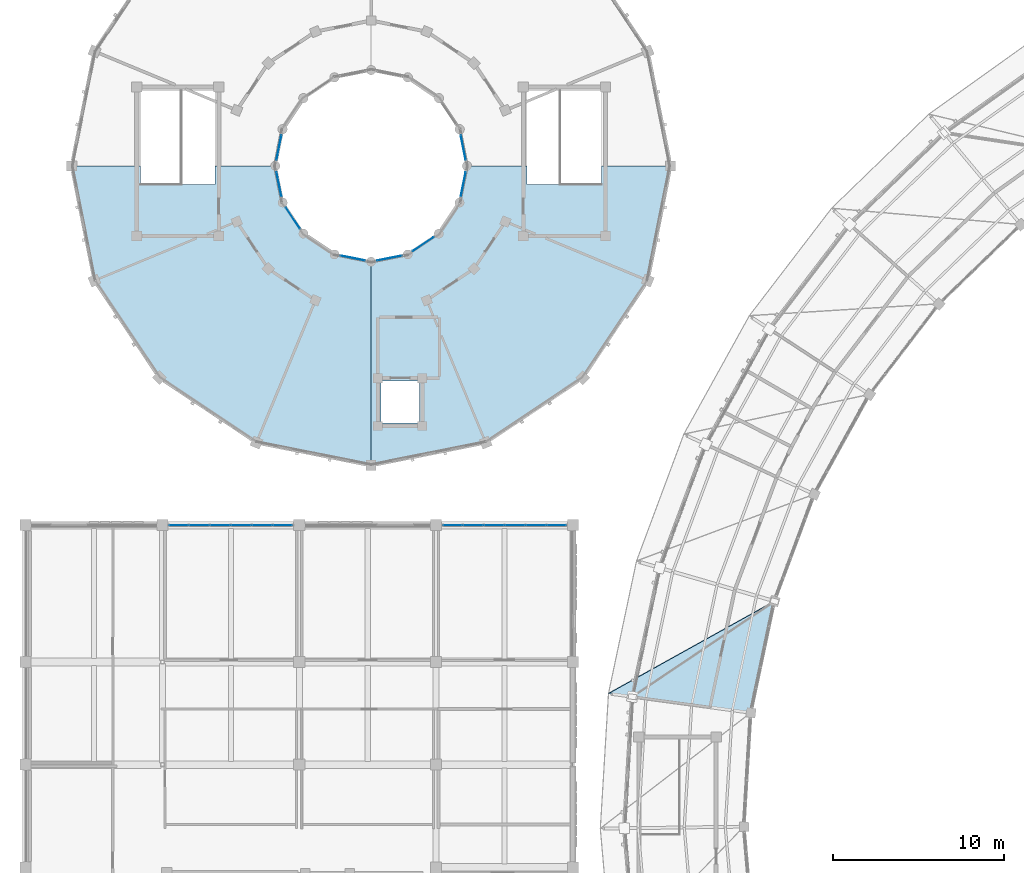
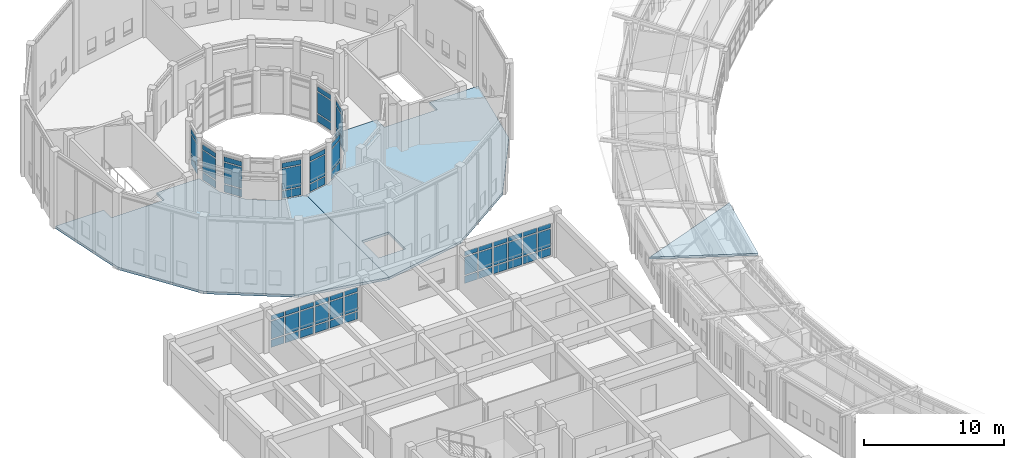
# One storey, part 106 of 149: 60 plates, 3 slabs, 10 elements without a shape of their own.
"""IFC4 building model written with IfcOpenShell, lengths in metres."""

from ifc_helpers import new_model, si_unit, direction, frame, origin, origin_2d, place, context, subcontext, project, spatial, polyline, rectangle, outline, extrude, material, layer, layer_set, type_object, element, aggregate, save


model = new_model("IFC4")

# Units and contexts
model_context = context("Model", 3, precision=1e-05, world=origin(), true_north=direction((0.0, 1.0)))
body_context = subcontext(model_context, "Body", "Model", "MODEL_VIEW")
ifc_project = project(units=[si_unit("LENGTHUNIT", "METRE"), si_unit("AREAUNIT", "SQUARE_METRE"), si_unit("VOLUMEUNIT", "CUBIC_METRE"), si_unit("PLANEANGLEUNIT", "RADIAN"), si_unit("MASSUNIT", "GRAM", prefix="KILO")], contexts=[model_context])

# Site, building, storey
site_placement = place(None, origin())
site = spatial("IfcSite", under=ifc_project, at=site_placement, CompositionType="ELEMENT")
building_placement = place(site_placement, origin())
building = spatial("IfcBuilding", under=site, at=building_placement, Name="Celadon Cloister-Ring School", CompositionType="ELEMENT")
storey_placement = place(building_placement, frame((0.0, 0.0, 12.5)))
storey = spatial("IfcBuildingStorey", under=building, at=storey_placement, Name="L03", CompositionType="ELEMENT", Elevation=12.5)

# Curtain wall, plates
ifc_material_1 = material(Name="Aluminium EN AW-6063 T6", Category="aluminium")
curtain_wall_type_1 = type_object("IfcCurtainWallType", Name="CW-05", PredefinedType="USERDEFINED", material=ifc_material_1)
curtain_wall_1_placement = place(storey_placement, origin())
curtain_wall_1 = element("IfcCurtainWall", 1, at=curtain_wall_1_placement, inside=storey, type_object=curtain_wall_type_1, Name="Curtain Wall 0115", ObjectType="CURTAIN WALL", PredefinedType="USERDEFINED")
ifc_material_2 = material(Name="Tempered laminated insulating glass", Category="glass")
ifc_layer_1 = layer(ifc_material_2, 0.02001953125)
ifc_layer_set_1 = layer_set([ifc_layer_1], Name="Tempered laminated insulating glass")
plate_type = type_object("IfcPlateType", Name="CPN-01", PredefinedType="CURTAIN_PANEL", material=ifc_layer_set_1)
plate_1_placement = place(storey_placement, frame((25.5869140625, 98.071533203125, 0.090087890625), z_axis=(0.0, 0.0, 1.0), x_axis=(-0.194586131301, 0.980885435464, 0.0)))
plate_1 = element("IfcPlate", 2, at=plate_1_placement, type_object=plate_type, Name="CW-05 panel 1.1", PredefinedType="CURTAIN_PANEL", context=body_context, shape_type="SweptSolid", body=[
    extrude(rectangle(XDim=1.4443359375, YDim=0.02001953125, at=origin_2d()), origin(), (0.0, 0.0, 1.0), 0.6650390625),
])
plate_2_placement = place(storey_placement, frame((25.5869140625, 98.071533203125, 0.844970703125), z_axis=(0.0, 0.0, 1.0), x_axis=(-0.194586131301, 0.980885435464, 0.0)))
plate_2 = element("IfcPlate", 3, at=plate_2_placement, type_object=plate_type, Name="CW-05 panel 1.2", PredefinedType="CURTAIN_PANEL", context=body_context, shape_type="SweptSolid", body=[
    extrude(rectangle(XDim=1.4443359375, YDim=0.02001953125, at=origin_2d()), origin(), (0.0, 0.0, 1.0), 1.8349609375),
])
plate_3_placement = place(storey_placement, frame((25.5869140625, 98.071533203125, 2.77001953125), z_axis=(0.0, 0.0, 1.0), x_axis=(-0.194586131301, 0.980885435464, 0.0)))
plate_3 = element("IfcPlate", 4, at=plate_3_placement, type_object=plate_type, Name="CW-05 panel 1.3", PredefinedType="CURTAIN_PANEL", context=body_context, shape_type="SweptSolid", body=[
    extrude(rectangle(XDim=1.4443359375, YDim=0.02001953125, at=origin_2d()), origin(), (0.0, 0.0, 1.0), 0.4150390625),
])
aggregate(curtain_wall_1, [plate_1, plate_2, plate_3])

curtain_wall_2_placement = place(storey_placement, origin())
curtain_wall_2 = element("IfcCurtainWall", 5, at=curtain_wall_2_placement, inside=storey, type_object=curtain_wall_type_1, Name="Curtain Wall 0120", ObjectType="CURTAIN WALL", PredefinedType="USERDEFINED")
plate_4_placement = place(storey_placement, frame((14.81298828125, 98.071533203125, 0.090087890625), z_axis=(0.0, 0.0, 1.0), x_axis=(-0.194586131301, -0.980885435464, 0.0)))
plate_4 = element("IfcPlate", 6, at=plate_4_placement, type_object=plate_type, Name="CW-05 panel 1.1", PredefinedType="CURTAIN_PANEL", context=body_context, shape_type="SweptSolid", body=[
    extrude(rectangle(XDim=1.4443359375, YDim=0.02001953125, at=origin_2d()), origin(), (0.0, 0.0, 1.0), 0.6650390625),
])
plate_5_placement = place(storey_placement, frame((14.81298828125, 98.071533203125, 0.844970703125), z_axis=(0.0, 0.0, 1.0), x_axis=(-0.194586131301, -0.980885435464, 0.0)))
plate_5 = element("IfcPlate", 7, at=plate_5_placement, type_object=plate_type, Name="CW-05 panel 1.2", PredefinedType="CURTAIN_PANEL", context=body_context, shape_type="SweptSolid", body=[
    extrude(rectangle(XDim=1.4443359375, YDim=0.02001953125, at=origin_2d()), origin(), (0.0, 0.0, 1.0), 1.8349609375),
])
plate_6_placement = place(storey_placement, frame((14.81298828125, 98.071533203125, 2.77001953125), z_axis=(0.0, 0.0, 1.0), x_axis=(-0.194586131301, -0.980885435464, 0.0)))
plate_6 = element("IfcPlate", 8, at=plate_6_placement, type_object=plate_type, Name="CW-05 panel 1.3", PredefinedType="CURTAIN_PANEL", context=body_context, shape_type="SweptSolid", body=[
    extrude(rectangle(XDim=1.4443359375, YDim=0.02001953125, at=origin_2d()), origin(), (0.0, 0.0, 1.0), 0.4150390625),
])
aggregate(curtain_wall_2, [plate_4, plate_5, plate_6])

curtain_wall_3_placement = place(storey_placement, origin())
curtain_wall_3 = element("IfcCurtainWall", 9, at=curtain_wall_3_placement, inside=storey, type_object=curtain_wall_type_1, Name="Curtain Wall 0121", ObjectType="CURTAIN WALL", PredefinedType="USERDEFINED")
plate_7_placement = place(storey_placement, frame((14.81298828125, 95.928466796875, 0.090087890625), z_axis=(0.0, 0.0, 1.0), x_axis=(0.194586131301, -0.980885435464, 0.0)))
plate_7 = element("IfcPlate", 10, at=plate_7_placement, type_object=plate_type, Name="CW-05 panel 1.1", PredefinedType="CURTAIN_PANEL", context=body_context, shape_type="SweptSolid", body=[
    extrude(rectangle(XDim=1.4443359375, YDim=0.02001953125, at=origin_2d()), origin(), (0.0, 0.0, 1.0), 0.6650390625),
])
plate_8_placement = place(storey_placement, frame((14.81298828125, 95.928466796875, 0.844970703125), z_axis=(0.0, 0.0, 1.0), x_axis=(0.194586131301, -0.980885435464, 0.0)))
plate_8 = element("IfcPlate", 11, at=plate_8_placement, type_object=plate_type, Name="CW-05 panel 1.2", PredefinedType="CURTAIN_PANEL", context=body_context, shape_type="SweptSolid", body=[
    extrude(rectangle(XDim=1.4443359375, YDim=0.02001953125, at=origin_2d()), origin(), (0.0, 0.0, 1.0), 1.8349609375),
])
plate_9_placement = place(storey_placement, frame((14.81298828125, 95.928466796875, 2.77001953125), z_axis=(0.0, 0.0, 1.0), x_axis=(0.194586131301, -0.980885435464, 0.0)))
plate_9 = element("IfcPlate", 12, at=plate_9_placement, type_object=plate_type, Name="CW-05 panel 1.3", PredefinedType="CURTAIN_PANEL", context=body_context, shape_type="SweptSolid", body=[
    extrude(rectangle(XDim=1.4443359375, YDim=0.02001953125, at=origin_2d()), origin(), (0.0, 0.0, 1.0), 0.4150390625),
])
aggregate(curtain_wall_3, [plate_7, plate_8, plate_9])

curtain_wall_4_placement = place(storey_placement, origin())
curtain_wall_4 = element("IfcCurtainWall", 13, at=curtain_wall_4_placement, inside=storey, type_object=curtain_wall_type_1, Name="Curtain Wall 0122", ObjectType="CURTAIN WALL", PredefinedType="USERDEFINED")
plate_10_placement = place(storey_placement, frame((15.633056640625, 93.948486328125, 0.090087890625), z_axis=(0.0, 0.0, 1.0), x_axis=(0.555547066224, -0.831485091394, 0.0)))
plate_10 = element("IfcPlate", 14, at=plate_10_placement, type_object=plate_type, Name="CW-05 panel 1.1", PredefinedType="CURTAIN_PANEL", context=body_context, shape_type="SweptSolid", body=[
    extrude(rectangle(XDim=1.4443359375, YDim=0.02001953125, at=origin_2d()), origin(), (0.0, 0.0, 1.0), 0.6650390625),
])
plate_11_placement = place(storey_placement, frame((15.633056640625, 93.948486328125, 0.844970703125), z_axis=(0.0, 0.0, 1.0), x_axis=(0.555547066224, -0.831485091394, 0.0)))
plate_11 = element("IfcPlate", 15, at=plate_11_placement, type_object=plate_type, Name="CW-05 panel 1.2", PredefinedType="CURTAIN_PANEL", context=body_context, shape_type="SweptSolid", body=[
    extrude(rectangle(XDim=1.4443359375, YDim=0.02001953125, at=origin_2d()), origin(), (0.0, 0.0, 1.0), 1.8349609375),
])
plate_12_placement = place(storey_placement, frame((15.633056640625, 93.948486328125, 2.77001953125), z_axis=(0.0, 0.0, 1.0), x_axis=(0.555547066224, -0.831485091394, 0.0)))
plate_12 = element("IfcPlate", 16, at=plate_12_placement, type_object=plate_type, Name="CW-05 panel 1.3", PredefinedType="CURTAIN_PANEL", context=body_context, shape_type="SweptSolid", body=[
    extrude(rectangle(XDim=1.4443359375, YDim=0.02001953125, at=origin_2d()), origin(), (0.0, 0.0, 1.0), 0.4150390625),
])
aggregate(curtain_wall_4, [plate_10, plate_11, plate_12])

curtain_wall_5_placement = place(storey_placement, origin())
curtain_wall_5 = element("IfcCurtainWall", 17, at=curtain_wall_5_placement, inside=storey, type_object=curtain_wall_type_1, Name="Curtain Wall 0123", ObjectType="CURTAIN WALL", PredefinedType="USERDEFINED")
plate_13_placement = place(storey_placement, frame((19.12841796875, 91.613037109375, 0.090087890625), z_axis=(0.0, 0.0, 1.0), x_axis=(0.980885435464, -0.194586131301, 0.0)))
plate_13 = element("IfcPlate", 18, at=plate_13_placement, type_object=plate_type, Name="CW-05 panel 1.1", PredefinedType="CURTAIN_PANEL", context=body_context, shape_type="SweptSolid", body=[
    extrude(rectangle(XDim=1.4443359375, YDim=0.02001953125, at=origin_2d()), origin(), (0.0, 0.0, 1.0), 0.6650390625),
])
plate_14_placement = place(storey_placement, frame((19.12841796875, 91.613037109375, 0.844970703125), z_axis=(0.0, 0.0, 1.0), x_axis=(0.980885435464, -0.194586131301, 0.0)))
plate_14 = element("IfcPlate", 19, at=plate_14_placement, type_object=plate_type, Name="CW-05 panel 1.2", PredefinedType="CURTAIN_PANEL", context=body_context, shape_type="SweptSolid", body=[
    extrude(rectangle(XDim=1.4443359375, YDim=0.02001953125, at=origin_2d()), origin(), (0.0, 0.0, 1.0), 1.8349609375),
])
plate_15_placement = place(storey_placement, frame((19.12841796875, 91.613037109375, 2.77001953125), z_axis=(0.0, 0.0, 1.0), x_axis=(0.980885435464, -0.194586131301, 0.0)))
plate_15 = element("IfcPlate", 20, at=plate_15_placement, type_object=plate_type, Name="CW-05 panel 1.3", PredefinedType="CURTAIN_PANEL", context=body_context, shape_type="SweptSolid", body=[
    extrude(rectangle(XDim=1.4443359375, YDim=0.02001953125, at=origin_2d()), origin(), (0.0, 0.0, 1.0), 0.4150390625),
])
aggregate(curtain_wall_5, [plate_13, plate_14, plate_15])

curtain_wall_6_placement = place(storey_placement, origin())
curtain_wall_6 = element("IfcCurtainWall", 21, at=curtain_wall_6_placement, inside=storey, type_object=curtain_wall_type_1, Name="Curtain Wall 0124", ObjectType="CURTAIN WALL", PredefinedType="USERDEFINED")
plate_16_placement = place(storey_placement, frame((21.271484375, 91.613037109375, 0.090087890625), z_axis=(0.0, 0.0, 1.0), x_axis=(0.980885435464, 0.194586131301, 0.0)))
plate_16 = element("IfcPlate", 22, at=plate_16_placement, type_object=plate_type, Name="CW-05 panel 1.1", PredefinedType="CURTAIN_PANEL", context=body_context, shape_type="SweptSolid", body=[
    extrude(rectangle(XDim=1.4443359375, YDim=0.02001953125, at=origin_2d()), origin(), (0.0, 0.0, 1.0), 0.6650390625),
])
plate_17_placement = place(storey_placement, frame((21.271484375, 91.613037109375, 0.844970703125), z_axis=(0.0, 0.0, 1.0), x_axis=(0.980885435464, 0.194586131301, 0.0)))
plate_17 = element("IfcPlate", 23, at=plate_17_placement, type_object=plate_type, Name="CW-05 panel 1.2", PredefinedType="CURTAIN_PANEL", context=body_context, shape_type="SweptSolid", body=[
    extrude(rectangle(XDim=1.4443359375, YDim=0.02001953125, at=origin_2d()), origin(), (0.0, 0.0, 1.0), 1.8349609375),
])
plate_18_placement = place(storey_placement, frame((21.271484375, 91.613037109375, 2.77001953125), z_axis=(0.0, 0.0, 1.0), x_axis=(0.980885435464, 0.194586131301, 0.0)))
plate_18 = element("IfcPlate", 24, at=plate_18_placement, type_object=plate_type, Name="CW-05 panel 1.3", PredefinedType="CURTAIN_PANEL", context=body_context, shape_type="SweptSolid", body=[
    extrude(rectangle(XDim=1.4443359375, YDim=0.02001953125, at=origin_2d()), origin(), (0.0, 0.0, 1.0), 0.4150390625),
])
aggregate(curtain_wall_6, [plate_16, plate_17, plate_18])

curtain_wall_7_placement = place(storey_placement, origin())
curtain_wall_7 = element("IfcCurtainWall", 25, at=curtain_wall_7_placement, inside=storey, type_object=curtain_wall_type_1, Name="Curtain Wall 0125", ObjectType="CURTAIN WALL", PredefinedType="USERDEFINED")
plate_19_placement = place(storey_placement, frame((23.25146484375, 92.43310546875, 0.090087890625), z_axis=(0.0, 0.0, 1.0), x_axis=(0.831485091394, 0.555547066224, 0.0)))
plate_19 = element("IfcPlate", 26, at=plate_19_placement, type_object=plate_type, Name="CW-05 panel 1.1", PredefinedType="CURTAIN_PANEL", context=body_context, shape_type="SweptSolid", body=[
    extrude(rectangle(XDim=1.4443359375, YDim=0.02001953125, at=origin_2d()), origin(), (0.0, 0.0, 1.0), 0.6650390625),
])
plate_20_placement = place(storey_placement, frame((23.25146484375, 92.43310546875, 0.844970703125), z_axis=(0.0, 0.0, 1.0), x_axis=(0.831485091394, 0.555547066224, 0.0)))
plate_20 = element("IfcPlate", 27, at=plate_20_placement, type_object=plate_type, Name="CW-05 panel 1.2", PredefinedType="CURTAIN_PANEL", context=body_context, shape_type="SweptSolid", body=[
    extrude(rectangle(XDim=1.4443359375, YDim=0.02001953125, at=origin_2d()), origin(), (0.0, 0.0, 1.0), 1.8349609375),
])
plate_21_placement = place(storey_placement, frame((23.25146484375, 92.43310546875, 2.77001953125), z_axis=(0.0, 0.0, 1.0), x_axis=(0.831485091394, 0.555547066224, 0.0)))
plate_21 = element("IfcPlate", 28, at=plate_21_placement, type_object=plate_type, Name="CW-05 panel 1.3", PredefinedType="CURTAIN_PANEL", context=body_context, shape_type="SweptSolid", body=[
    extrude(rectangle(XDim=1.4443359375, YDim=0.02001953125, at=origin_2d()), origin(), (0.0, 0.0, 1.0), 0.4150390625),
])
aggregate(curtain_wall_7, [plate_19, plate_20, plate_21])

curtain_wall_8_placement = place(storey_placement, origin())
curtain_wall_8 = element("IfcCurtainWall", 29, at=curtain_wall_8_placement, inside=storey, type_object=curtain_wall_type_1, Name="Curtain Wall 0126", ObjectType="CURTAIN WALL", PredefinedType="USERDEFINED")
plate_22_placement = place(storey_placement, frame((25.5869140625, 95.928466796875, 0.090087890625), z_axis=(0.0, 0.0, 1.0), x_axis=(0.194586131301, 0.980885435464, 0.0)))
plate_22 = element("IfcPlate", 30, at=plate_22_placement, type_object=plate_type, Name="CW-05 panel 1.1", PredefinedType="CURTAIN_PANEL", context=body_context, shape_type="SweptSolid", body=[
    extrude(rectangle(XDim=1.4443359375, YDim=0.02001953125, at=origin_2d()), origin(), (0.0, 0.0, 1.0), 0.6650390625),
])
plate_23_placement = place(storey_placement, frame((25.5869140625, 95.928466796875, 0.844970703125), z_axis=(0.0, 0.0, 1.0), x_axis=(0.194586131301, 0.980885435464, 0.0)))
plate_23 = element("IfcPlate", 31, at=plate_23_placement, type_object=plate_type, Name="CW-05 panel 1.2", PredefinedType="CURTAIN_PANEL", context=body_context, shape_type="SweptSolid", body=[
    extrude(rectangle(XDim=1.4443359375, YDim=0.02001953125, at=origin_2d()), origin(), (0.0, 0.0, 1.0), 1.8349609375),
])
plate_24_placement = place(storey_placement, frame((25.5869140625, 95.928466796875, 2.77001953125), z_axis=(0.0, 0.0, 1.0), x_axis=(0.194586131301, 0.980885435464, 0.0)))
plate_24 = element("IfcPlate", 32, at=plate_24_placement, type_object=plate_type, Name="CW-05 panel 1.3", PredefinedType="CURTAIN_PANEL", context=body_context, shape_type="SweptSolid", body=[
    extrude(rectangle(XDim=1.4443359375, YDim=0.02001953125, at=origin_2d()), origin(), (0.0, 0.0, 1.0), 0.4150390625),
])
aggregate(curtain_wall_8, [plate_22, plate_23, plate_24])

ifc_material_3 = material(Name="Aluminium EN AW-6063 T6", Category="aluminium")
curtain_wall_type_2 = type_object("IfcCurtainWallType", Name="CW-15", PredefinedType="USERDEFINED", material=ifc_material_3)
curtain_wall_9_placement = place(storey_placement, origin())
curtain_wall_9 = element("IfcCurtainWall", 33, at=curtain_wall_9_placement, inside=storey, type_object=curtain_wall_type_2, Name="Curtain Wall 0203", ObjectType="CURTAIN WALL", PredefinedType="USERDEFINED")
plate_25_placement = place(storey_placement, frame((8.965087890625, 76.0, 0.10498046875), z_axis=(0.0, 0.0, 1.0), x_axis=(1.0, 0.0, 0.0)))
plate_25 = element("IfcPlate", 34, at=plate_25_placement, type_object=plate_type, Name="CW-15 panel 1.1", PredefinedType="CURTAIN_PANEL", context=body_context, shape_type="SweptSolid", body=[
    extrude(rectangle(XDim=1.06005859375, YDim=0.02001953125, at=origin_2d()), origin(), (0.0, 0.0, 1.0), 0.642578125),
])
plate_26_placement = place(storey_placement, frame((8.965087890625, 76.0, 0.8525390625), z_axis=(0.0, 0.0, 1.0), x_axis=(1.0, 0.0, 0.0)))
plate_26 = element("IfcPlate", 35, at=plate_26_placement, type_object=plate_type, Name="CW-15 panel 1.2", PredefinedType="CURTAIN_PANEL", context=body_context, shape_type="SweptSolid", body=[
    extrude(rectangle(XDim=1.06005859375, YDim=0.02001953125, at=origin_2d()), origin(), (0.0, 0.0, 1.0), 1.547119140625),
])
plate_27_placement = place(storey_placement, frame((8.965087890625, 76.0, 2.50439453125), z_axis=(0.0, 0.0, 1.0), x_axis=(1.0, 0.0, 0.0)))
plate_27 = element("IfcPlate", 36, at=plate_27_placement, type_object=plate_type, Name="CW-15 panel 1.3", PredefinedType="CURTAIN_PANEL", context=body_context, shape_type="SweptSolid", body=[
    extrude(rectangle(XDim=1.06005859375, YDim=0.02001953125, at=origin_2d()), origin(), (0.0, 0.0, 1.0), 0.392578125),
])
plate_28_placement = place(storey_placement, frame((10.16259765625, 76.0, 0.10498046875), z_axis=(0.0, 0.0, 1.0), x_axis=(1.0, 0.0, 0.0)))
plate_28 = element("IfcPlate", 37, at=plate_28_placement, type_object=plate_type, Name="CW-15 panel 2.1", PredefinedType="CURTAIN_PANEL", context=body_context, shape_type="SweptSolid", body=[
    extrude(rectangle(XDim=1.114990234375, YDim=0.02001953125, at=origin_2d()), origin(), (0.0, 0.0, 1.0), 0.642578125),
])
plate_29_placement = place(storey_placement, frame((10.16259765625, 76.0, 0.8525390625), z_axis=(0.0, 0.0, 1.0), x_axis=(1.0, 0.0, 0.0)))
plate_29 = element("IfcPlate", 38, at=plate_29_placement, type_object=plate_type, Name="CW-15 panel 2.2", PredefinedType="CURTAIN_PANEL", context=body_context, shape_type="SweptSolid", body=[
    extrude(rectangle(XDim=1.114990234375, YDim=0.02001953125, at=origin_2d()), origin(), (0.0, 0.0, 1.0), 1.547119140625),
])
plate_30_placement = place(storey_placement, frame((10.16259765625, 76.0, 2.50439453125), z_axis=(0.0, 0.0, 1.0), x_axis=(1.0, 0.0, 0.0)))
plate_30 = element("IfcPlate", 39, at=plate_30_placement, type_object=plate_type, Name="CW-15 panel 2.3", PredefinedType="CURTAIN_PANEL", context=body_context, shape_type="SweptSolid", body=[
    extrude(rectangle(XDim=1.114990234375, YDim=0.02001953125, at=origin_2d()), origin(), (0.0, 0.0, 1.0), 0.392578125),
])
plate_31_placement = place(storey_placement, frame((11.387451171875, 76.0, 0.10498046875), z_axis=(0.0, 0.0, 1.0), x_axis=(1.0, 0.0, 0.0)))
plate_31 = element("IfcPlate", 40, at=plate_31_placement, type_object=plate_type, Name="CW-15 panel 3.1", PredefinedType="CURTAIN_PANEL", context=body_context, shape_type="SweptSolid", body=[
    extrude(rectangle(XDim=1.114990234375, YDim=0.02001953125, at=origin_2d()), origin(), (0.0, 0.0, 1.0), 0.642578125),
])
plate_32_placement = place(storey_placement, frame((11.387451171875, 76.0, 0.8525390625), z_axis=(0.0, 0.0, 1.0), x_axis=(1.0, 0.0, 0.0)))
plate_32 = element("IfcPlate", 41, at=plate_32_placement, type_object=plate_type, Name="CW-15 panel 3.2", PredefinedType="CURTAIN_PANEL", context=body_context, shape_type="SweptSolid", body=[
    extrude(rectangle(XDim=1.114990234375, YDim=0.02001953125, at=origin_2d()), origin(), (0.0, 0.0, 1.0), 1.547119140625),
])
plate_33_placement = place(storey_placement, frame((11.387451171875, 76.0, 2.50439453125), z_axis=(0.0, 0.0, 1.0), x_axis=(1.0, 0.0, 0.0)))
plate_33 = element("IfcPlate", 42, at=plate_33_placement, type_object=plate_type, Name="CW-15 panel 3.3", PredefinedType="CURTAIN_PANEL", context=body_context, shape_type="SweptSolid", body=[
    extrude(rectangle(XDim=1.114990234375, YDim=0.02001953125, at=origin_2d()), origin(), (0.0, 0.0, 1.0), 0.392578125),
])
plate_34_placement = place(storey_placement, frame((12.612548828125, 76.0, 0.10498046875), z_axis=(0.0, 0.0, 1.0), x_axis=(1.0, 0.0, 0.0)))
plate_34 = element("IfcPlate", 43, at=plate_34_placement, type_object=plate_type, Name="CW-15 panel 4.1", PredefinedType="CURTAIN_PANEL", context=body_context, shape_type="SweptSolid", body=[
    extrude(rectangle(XDim=1.114990234375, YDim=0.02001953125, at=origin_2d()), origin(), (0.0, 0.0, 1.0), 0.642578125),
])
plate_35_placement = place(storey_placement, frame((12.612548828125, 76.0, 0.8525390625), z_axis=(0.0, 0.0, 1.0), x_axis=(1.0, 0.0, 0.0)))
plate_35 = element("IfcPlate", 44, at=plate_35_placement, type_object=plate_type, Name="CW-15 panel 4.2", PredefinedType="CURTAIN_PANEL", context=body_context, shape_type="SweptSolid", body=[
    extrude(rectangle(XDim=1.114990234375, YDim=0.02001953125, at=origin_2d()), origin(), (0.0, 0.0, 1.0), 1.547119140625),
])
plate_36_placement = place(storey_placement, frame((12.612548828125, 76.0, 2.50439453125), z_axis=(0.0, 0.0, 1.0), x_axis=(1.0, 0.0, 0.0)))
plate_36 = element("IfcPlate", 45, at=plate_36_placement, type_object=plate_type, Name="CW-15 panel 4.3", PredefinedType="CURTAIN_PANEL", context=body_context, shape_type="SweptSolid", body=[
    extrude(rectangle(XDim=1.114990234375, YDim=0.02001953125, at=origin_2d()), origin(), (0.0, 0.0, 1.0), 0.392578125),
])
plate_37_placement = place(storey_placement, frame((13.83740234375, 76.0, 0.10498046875), z_axis=(0.0, 0.0, 1.0), x_axis=(1.0, 0.0, 0.0)))
plate_37 = element("IfcPlate", 46, at=plate_37_placement, type_object=plate_type, Name="CW-15 panel 5.1", PredefinedType="CURTAIN_PANEL", context=body_context, shape_type="SweptSolid", body=[
    extrude(rectangle(XDim=1.114990234375, YDim=0.02001953125, at=origin_2d()), origin(), (0.0, 0.0, 1.0), 0.642578125),
])
plate_38_placement = place(storey_placement, frame((13.83740234375, 76.0, 0.8525390625), z_axis=(0.0, 0.0, 1.0), x_axis=(1.0, 0.0, 0.0)))
plate_38 = element("IfcPlate", 47, at=plate_38_placement, type_object=plate_type, Name="CW-15 panel 5.2", PredefinedType="CURTAIN_PANEL", context=body_context, shape_type="SweptSolid", body=[
    extrude(rectangle(XDim=1.114990234375, YDim=0.02001953125, at=origin_2d()), origin(), (0.0, 0.0, 1.0), 1.547119140625),
])
plate_39_placement = place(storey_placement, frame((13.83740234375, 76.0, 2.50439453125), z_axis=(0.0, 0.0, 1.0), x_axis=(1.0, 0.0, 0.0)))
plate_39 = element("IfcPlate", 48, at=plate_39_placement, type_object=plate_type, Name="CW-15 panel 5.3", PredefinedType="CURTAIN_PANEL", context=body_context, shape_type="SweptSolid", body=[
    extrude(rectangle(XDim=1.114990234375, YDim=0.02001953125, at=origin_2d()), origin(), (0.0, 0.0, 1.0), 0.392578125),
])
plate_40_placement = place(storey_placement, frame((15.034912109375, 76.0, 0.10498046875), z_axis=(0.0, 0.0, 1.0), x_axis=(1.0, 0.0, 0.0)))
plate_40 = element("IfcPlate", 49, at=plate_40_placement, type_object=plate_type, Name="CW-15 panel 6.1", PredefinedType="CURTAIN_PANEL", context=body_context, shape_type="SweptSolid", body=[
    extrude(rectangle(XDim=1.06005859375, YDim=0.02001953125, at=origin_2d()), origin(), (0.0, 0.0, 1.0), 0.642578125),
])
plate_41_placement = place(storey_placement, frame((15.034912109375, 76.0, 0.8525390625), z_axis=(0.0, 0.0, 1.0), x_axis=(1.0, 0.0, 0.0)))
plate_41 = element("IfcPlate", 50, at=plate_41_placement, type_object=plate_type, Name="CW-15 panel 6.2", PredefinedType="CURTAIN_PANEL", context=body_context, shape_type="SweptSolid", body=[
    extrude(rectangle(XDim=1.06005859375, YDim=0.02001953125, at=origin_2d()), origin(), (0.0, 0.0, 1.0), 1.547119140625),
])
plate_42_placement = place(storey_placement, frame((15.034912109375, 76.0, 2.50439453125), z_axis=(0.0, 0.0, 1.0), x_axis=(1.0, 0.0, 0.0)))
plate_42 = element("IfcPlate", 51, at=plate_42_placement, type_object=plate_type, Name="CW-15 panel 6.3", PredefinedType="CURTAIN_PANEL", context=body_context, shape_type="SweptSolid", body=[
    extrude(rectangle(XDim=1.06005859375, YDim=0.02001953125, at=origin_2d()), origin(), (0.0, 0.0, 1.0), 0.392578125),
])
aggregate(curtain_wall_9, [plate_25, plate_26, plate_27, plate_28, plate_29, plate_30, plate_31, plate_32, plate_33, plate_34, plate_35, plate_36, plate_37, plate_38, plate_39, plate_40, plate_41, plate_42])

curtain_wall_10_placement = place(storey_placement, origin())
curtain_wall_10 = element("IfcCurtainWall", 52, at=curtain_wall_10_placement, inside=storey, type_object=curtain_wall_type_2, Name="Curtain Wall 0204", ObjectType="CURTAIN WALL", PredefinedType="USERDEFINED")
plate_43_placement = place(storey_placement, frame((24.965087890625, 76.0, 0.10498046875), z_axis=(0.0, 0.0, 1.0), x_axis=(1.0, 0.0, 0.0)))
plate_43 = element("IfcPlate", 53, at=plate_43_placement, type_object=plate_type, Name="CW-15 panel 1.1", PredefinedType="CURTAIN_PANEL", context=body_context, shape_type="SweptSolid", body=[
    extrude(rectangle(XDim=1.06005859375, YDim=0.02001953125, at=origin_2d()), origin(), (0.0, 0.0, 1.0), 0.642578125),
])
plate_44_placement = place(storey_placement, frame((24.965087890625, 76.0, 0.8525390625), z_axis=(0.0, 0.0, 1.0), x_axis=(1.0, 0.0, 0.0)))
plate_44 = element("IfcPlate", 54, at=plate_44_placement, type_object=plate_type, Name="CW-15 panel 1.2", PredefinedType="CURTAIN_PANEL", context=body_context, shape_type="SweptSolid", body=[
    extrude(rectangle(XDim=1.06005859375, YDim=0.02001953125, at=origin_2d()), origin(), (0.0, 0.0, 1.0), 1.547119140625),
])
plate_45_placement = place(storey_placement, frame((24.965087890625, 76.0, 2.50439453125), z_axis=(0.0, 0.0, 1.0), x_axis=(1.0, 0.0, 0.0)))
plate_45 = element("IfcPlate", 55, at=plate_45_placement, type_object=plate_type, Name="CW-15 panel 1.3", PredefinedType="CURTAIN_PANEL", context=body_context, shape_type="SweptSolid", body=[
    extrude(rectangle(XDim=1.06005859375, YDim=0.02001953125, at=origin_2d()), origin(), (0.0, 0.0, 1.0), 0.392578125),
])
plate_46_placement = place(storey_placement, frame((26.16259765625, 76.0, 0.10498046875), z_axis=(0.0, 0.0, 1.0), x_axis=(1.0, 0.0, 0.0)))
plate_46 = element("IfcPlate", 56, at=plate_46_placement, type_object=plate_type, Name="CW-15 panel 2.1", PredefinedType="CURTAIN_PANEL", context=body_context, shape_type="SweptSolid", body=[
    extrude(rectangle(XDim=1.114990234375, YDim=0.02001953125, at=origin_2d()), origin(), (0.0, 0.0, 1.0), 0.642578125),
])
plate_47_placement = place(storey_placement, frame((26.16259765625, 76.0, 0.8525390625), z_axis=(0.0, 0.0, 1.0), x_axis=(1.0, 0.0, 0.0)))
plate_47 = element("IfcPlate", 57, at=plate_47_placement, type_object=plate_type, Name="CW-15 panel 2.2", PredefinedType="CURTAIN_PANEL", context=body_context, shape_type="SweptSolid", body=[
    extrude(rectangle(XDim=1.114990234375, YDim=0.02001953125, at=origin_2d()), origin(), (0.0, 0.0, 1.0), 1.547119140625),
])
plate_48_placement = place(storey_placement, frame((26.16259765625, 76.0, 2.50439453125), z_axis=(0.0, 0.0, 1.0), x_axis=(1.0, 0.0, 0.0)))
plate_48 = element("IfcPlate", 58, at=plate_48_placement, type_object=plate_type, Name="CW-15 panel 2.3", PredefinedType="CURTAIN_PANEL", context=body_context, shape_type="SweptSolid", body=[
    extrude(rectangle(XDim=1.114990234375, YDim=0.02001953125, at=origin_2d()), origin(), (0.0, 0.0, 1.0), 0.392578125),
])
plate_49_placement = place(storey_placement, frame((27.387451171875, 76.0, 0.10498046875), z_axis=(0.0, 0.0, 1.0), x_axis=(1.0, 0.0, 0.0)))
plate_49 = element("IfcPlate", 59, at=plate_49_placement, type_object=plate_type, Name="CW-15 panel 3.1", PredefinedType="CURTAIN_PANEL", context=body_context, shape_type="SweptSolid", body=[
    extrude(rectangle(XDim=1.114990234375, YDim=0.02001953125, at=origin_2d()), origin(), (0.0, 0.0, 1.0), 0.642578125),
])
plate_50_placement = place(storey_placement, frame((27.387451171875, 76.0, 0.8525390625), z_axis=(0.0, 0.0, 1.0), x_axis=(1.0, 0.0, 0.0)))
plate_50 = element("IfcPlate", 60, at=plate_50_placement, type_object=plate_type, Name="CW-15 panel 3.2", PredefinedType="CURTAIN_PANEL", context=body_context, shape_type="SweptSolid", body=[
    extrude(rectangle(XDim=1.114990234375, YDim=0.02001953125, at=origin_2d()), origin(), (0.0, 0.0, 1.0), 1.547119140625),
])
plate_51_placement = place(storey_placement, frame((27.387451171875, 76.0, 2.50439453125), z_axis=(0.0, 0.0, 1.0), x_axis=(1.0, 0.0, 0.0)))
plate_51 = element("IfcPlate", 61, at=plate_51_placement, type_object=plate_type, Name="CW-15 panel 3.3", PredefinedType="CURTAIN_PANEL", context=body_context, shape_type="SweptSolid", body=[
    extrude(rectangle(XDim=1.114990234375, YDim=0.02001953125, at=origin_2d()), origin(), (0.0, 0.0, 1.0), 0.392578125),
])
plate_52_placement = place(storey_placement, frame((28.612548828125, 76.0, 0.10498046875), z_axis=(0.0, 0.0, 1.0), x_axis=(1.0, 0.0, 0.0)))
plate_52 = element("IfcPlate", 62, at=plate_52_placement, type_object=plate_type, Name="CW-15 panel 4.1", PredefinedType="CURTAIN_PANEL", context=body_context, shape_type="SweptSolid", body=[
    extrude(rectangle(XDim=1.114990234375, YDim=0.02001953125, at=origin_2d()), origin(), (0.0, 0.0, 1.0), 0.642578125),
])
plate_53_placement = place(storey_placement, frame((28.612548828125, 76.0, 0.8525390625), z_axis=(0.0, 0.0, 1.0), x_axis=(1.0, 0.0, 0.0)))
plate_53 = element("IfcPlate", 63, at=plate_53_placement, type_object=plate_type, Name="CW-15 panel 4.2", PredefinedType="CURTAIN_PANEL", context=body_context, shape_type="SweptSolid", body=[
    extrude(rectangle(XDim=1.114990234375, YDim=0.02001953125, at=origin_2d()), origin(), (0.0, 0.0, 1.0), 1.547119140625),
])
plate_54_placement = place(storey_placement, frame((28.612548828125, 76.0, 2.50439453125), z_axis=(0.0, 0.0, 1.0), x_axis=(1.0, 0.0, 0.0)))
plate_54 = element("IfcPlate", 64, at=plate_54_placement, type_object=plate_type, Name="CW-15 panel 4.3", PredefinedType="CURTAIN_PANEL", context=body_context, shape_type="SweptSolid", body=[
    extrude(rectangle(XDim=1.114990234375, YDim=0.02001953125, at=origin_2d()), origin(), (0.0, 0.0, 1.0), 0.392578125),
])
plate_55_placement = place(storey_placement, frame((29.83740234375, 76.0, 0.10498046875), z_axis=(0.0, 0.0, 1.0), x_axis=(1.0, 0.0, 0.0)))
plate_55 = element("IfcPlate", 65, at=plate_55_placement, type_object=plate_type, Name="CW-15 panel 5.1", PredefinedType="CURTAIN_PANEL", context=body_context, shape_type="SweptSolid", body=[
    extrude(rectangle(XDim=1.114990234375, YDim=0.02001953125, at=origin_2d()), origin(), (0.0, 0.0, 1.0), 0.642578125),
])
plate_56_placement = place(storey_placement, frame((29.83740234375, 76.0, 0.8525390625), z_axis=(0.0, 0.0, 1.0), x_axis=(1.0, 0.0, 0.0)))
plate_56 = element("IfcPlate", 66, at=plate_56_placement, type_object=plate_type, Name="CW-15 panel 5.2", PredefinedType="CURTAIN_PANEL", context=body_context, shape_type="SweptSolid", body=[
    extrude(rectangle(XDim=1.114990234375, YDim=0.02001953125, at=origin_2d()), origin(), (0.0, 0.0, 1.0), 1.547119140625),
])
plate_57_placement = place(storey_placement, frame((29.83740234375, 76.0, 2.50439453125), z_axis=(0.0, 0.0, 1.0), x_axis=(1.0, 0.0, 0.0)))
plate_57 = element("IfcPlate", 67, at=plate_57_placement, type_object=plate_type, Name="CW-15 panel 5.3", PredefinedType="CURTAIN_PANEL", context=body_context, shape_type="SweptSolid", body=[
    extrude(rectangle(XDim=1.114990234375, YDim=0.02001953125, at=origin_2d()), origin(), (0.0, 0.0, 1.0), 0.392578125),
])
plate_58_placement = place(storey_placement, frame((31.034912109375, 76.0, 0.10498046875), z_axis=(0.0, 0.0, 1.0), x_axis=(1.0, 0.0, 0.0)))
plate_58 = element("IfcPlate", 68, at=plate_58_placement, type_object=plate_type, Name="CW-15 panel 6.1", PredefinedType="CURTAIN_PANEL", context=body_context, shape_type="SweptSolid", body=[
    extrude(rectangle(XDim=1.06005859375, YDim=0.02001953125, at=origin_2d()), origin(), (0.0, 0.0, 1.0), 0.642578125),
])
plate_59_placement = place(storey_placement, frame((31.034912109375, 76.0, 0.8525390625), z_axis=(0.0, 0.0, 1.0), x_axis=(1.0, 0.0, 0.0)))
plate_59 = element("IfcPlate", 69, at=plate_59_placement, type_object=plate_type, Name="CW-15 panel 6.2", PredefinedType="CURTAIN_PANEL", context=body_context, shape_type="SweptSolid", body=[
    extrude(rectangle(XDim=1.06005859375, YDim=0.02001953125, at=origin_2d()), origin(), (0.0, 0.0, 1.0), 1.547119140625),
])
plate_60_placement = place(storey_placement, frame((31.034912109375, 76.0, 2.50439453125), z_axis=(0.0, 0.0, 1.0), x_axis=(1.0, 0.0, 0.0)))
plate_60 = element("IfcPlate", 70, at=plate_60_placement, type_object=plate_type, Name="CW-15 panel 6.3", PredefinedType="CURTAIN_PANEL", context=body_context, shape_type="SweptSolid", body=[
    extrude(rectangle(XDim=1.06005859375, YDim=0.02001953125, at=origin_2d()), origin(), (0.0, 0.0, 1.0), 0.392578125),
])
aggregate(curtain_wall_10, [plate_43, plate_44, plate_45, plate_46, plate_47, plate_48, plate_49, plate_50, plate_51, plate_52, plate_53, plate_54, plate_55, plate_56, plate_57, plate_58, plate_59, plate_60])

# Slabs
ifc_material_4 = material(Name="Concrete C35/45", Category="concrete")
ifc_layer_2 = layer(ifc_material_4, 0.219970703125)
ifc_layer_set_2 = layer_set([ifc_layer_2], Name="Concrete C35/45")
slab_type_1 = type_object("IfcSlabType", Name="SL-FL2", PredefinedType="FLOOR", material=ifc_layer_set_2)
slab_1_placement = place(storey_placement, frame((0.0, 0.0, -0.219970703125)))
element("IfcSlab", 71, at=slab_1_placement, inside=storey, type_object=slab_type_1, Name="V3 Ring L03 Sector 0043", PredefinedType="FLOOR", context=body_context, shape_type="SweptSolid", body=[
    extrude(outline(polyline([(14.60009765625, 97.0), (15.02587890625, 94.85693359375), (16.239990234375, 93.0400390625), (18.056884765625, 91.825927734375), (20.199951171875, 91.39990234375), (20.199951171875, 79.5), (13.5029296875, 80.83203125), (7.825927734375, 84.6259765625), (4.031982421875, 90.302978515625), (2.699951171875, 97.0), (6.719970703125, 97.0), (6.719970703125, 95.9150390625), (11.080078125, 95.9150390625), (11.080078125, 97.0), (14.60009765625, 97.0)])), origin(), (0.0, 0.0, 1.0), 0.219970703125),
])
slab_2_placement = place(storey_placement, frame((0.0, 0.0, -0.219970703125)))
element("IfcSlab", 72, at=slab_2_placement, inside=storey, type_object=slab_type_1, Name="V3 Ring L03 Sector 0044", PredefinedType="FLOOR", context=body_context, shape_type="SweptSolid", body=[
    extrude(outline(polyline([(37.699951171875, 97.0), (36.367919921875, 90.302978515625), (32.573974609375, 84.6259765625), (26.89697265625, 80.83203125), (20.199951171875, 79.5), (20.199951171875, 91.39990234375), (22.343017578125, 91.825927734375), (24.159912109375, 93.0400390625), (25.3740234375, 94.85693359375), (25.800048828125, 97.0), (29.320068359375, 97.0), (29.320068359375, 95.9150390625), (33.679931640625, 95.9150390625), (33.679931640625, 97.0), (37.699951171875, 97.0)]), holes=[polyline([(23.02001953125, 81.97998046875), (23.02001953125, 84.419921875), (20.780029296875, 84.419921875), (20.780029296875, 81.97998046875), (23.02001953125, 81.97998046875)])]), origin(), (0.0, 0.0, 1.0), 0.219970703125),
])
ifc_material_5 = material(Name="Concrete C35/45", Category="concrete")
ifc_layer_3 = layer(ifc_material_5, 0.179931640625)
ifc_layer_set_3 = layer_set([ifc_layer_3], Name="Concrete C35/45")
slab_type_2 = type_object("IfcSlabType", Name="SL-RF1", PredefinedType="ROOF", material=ifc_layer_set_3)
slab_3_placement = place(storey_placement, frame((43.787109375, 71.554931640625, 3.10009765625), z_axis=(0.2163885297, -0.045815926062, 0.975231718687), x_axis=(-0.861474951388, -0.478977645793, 0.168645554229)))
element("IfcSlab", 73, at=slab_3_placement, inside=storey, type_object=slab_type_2, Name="Conical Upper Roof Outer Tri 0024", PredefinedType="ROOF", context=body_context, shape_type="SweptSolid", body=[
    extrude(outline(polyline([(0.0, 0.0), (11.265653295388844, 1.1102230246251565e-16), (4.314132944411714, 5.083755537907432), (0.0, 0.0)])), origin(), (0.0, 0.0, -1.0), 0.179931640625),
])

save(model, "model.ifc")
